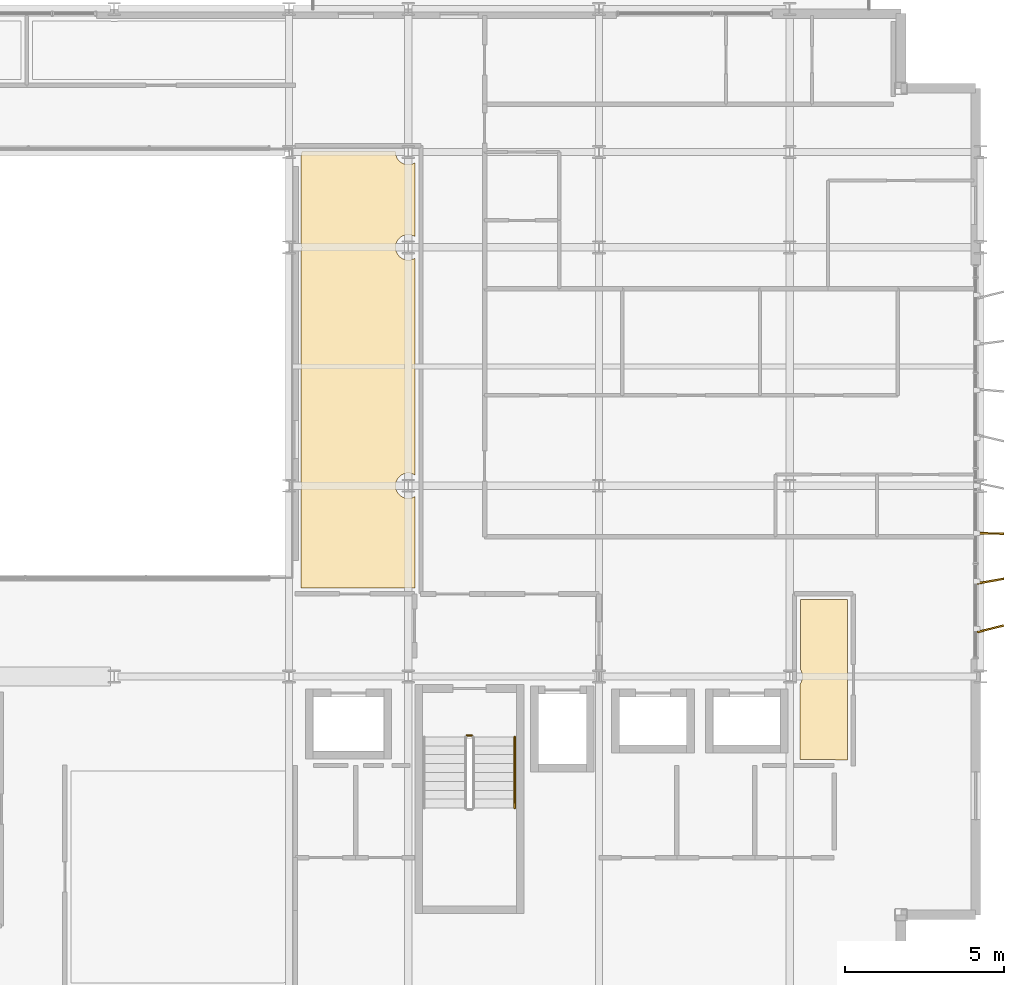
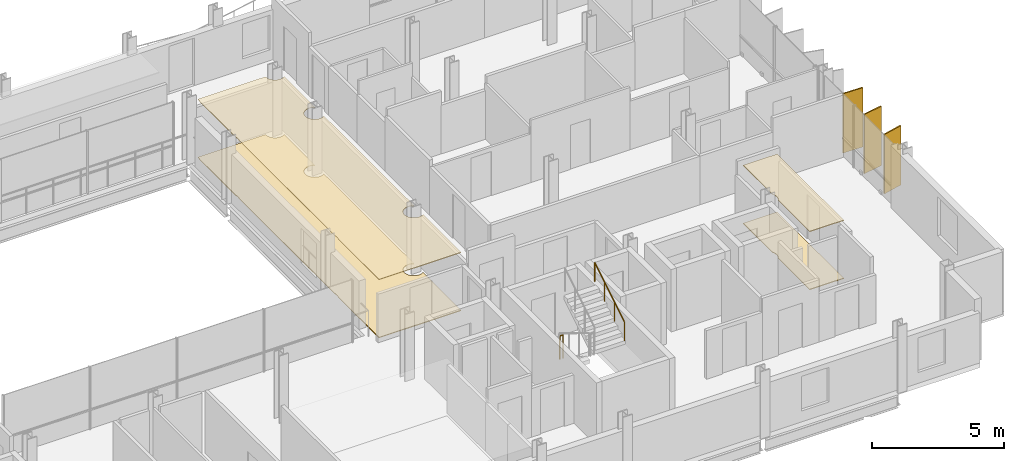
# One storey, part 39 of 40: 4 coverings, 3 shading devices, 2 railings.
"""IFC4 building model written with IfcOpenShell, lengths in metres."""

from ifc_helpers import new_model, si_unit, direction, frame, origin, origin_2d, place, context, subcontext, project, spatial, polyline, rectangle, circle, outline, extrude, material, layer, layer_set, type_object, element, save


model = new_model("IFC4")

# Units and contexts
model_context = context("Model", 3, precision=1e-05, world=origin(), true_north=direction((0.0, 1.0)))
body_context = subcontext(model_context, "Body", "Model", "MODEL_VIEW")
ifc_project = project(units=[si_unit("LENGTHUNIT", "METRE"), si_unit("AREAUNIT", "SQUARE_METRE"), si_unit("VOLUMEUNIT", "CUBIC_METRE"), si_unit("PLANEANGLEUNIT", "RADIAN"), si_unit("MASSUNIT", "GRAM", prefix="KILO")], contexts=[model_context])

# Site, building, storey
site_placement = place(None, origin())
site = spatial("IfcSite", under=ifc_project, at=site_placement, CompositionType="ELEMENT")
building_placement = place(site_placement, origin())
building = spatial("IfcBuilding", under=site, at=building_placement, Name="Brevholm Reach", CompositionType="ELEMENT")
storey_placement = place(building_placement, frame((0.0, 0.0, 160.39990234375)))
storey = spatial("IfcBuildingStorey", under=building, at=storey_placement, Name="L48", CompositionType="ELEMENT", Elevation=160.39990234375)

# Coverings
ifc_material_1 = material(Name="Moisture-Resistant Skimmed Gypsum Plasterboard Ceiling", Category="gypsum")
ifc_layer_1 = layer(ifc_material_1, 0.030029296875)
ifc_layer_set_1 = layer_set([ifc_layer_1], Name="Moisture-Resistant Skimmed Gypsum Plasterboard Ceiling")
covering_type_1 = type_object("IfcCoveringType", Name="COV-CLG-GYP", PredefinedType="CEILING", material=ifc_layer_set_1)
covering_1_placement = place(storey_placement, frame((0.0, 0.0, 2.68017578125)))
element("IfcCovering", 1, at=covering_1_placement, inside=storey, type_object=covering_type_1, Name="L48 Suspended Ceiling L48-28", PredefinedType="CEILING", context=body_context, shape_type="SweptSolid", body=[
    extrude(outline(polyline([(54.330078125, 9.7626953125), (54.33056640625, 9.764892578125), (54.33251953125, 9.777587890625), (54.33251953125, 9.77783203125), (54.352783203125, 9.811279296875), (54.36962890625, 9.846923828125), (54.3828125, 9.8837890625), (54.392333984375, 9.922119140625), (54.398193359375, 9.960693359375), (54.39990234375, 10.0), (54.398193359375, 10.039306640625), (54.392333984375, 10.077880859375), (54.3828125, 10.1162109375), (54.36962890625, 10.153076171875), (54.352783203125, 10.188720703125), (54.333984375, 10.219970703125), (54.333984375, 12.419921875), (55.81591796875, 12.419921875), (55.81591796875, 7.3798828125), (55.437255859375, 7.3798828125), (55.43505859375, 7.380615234375), (55.41748046875, 7.383056640625), (55.39990234375, 7.384033203125), (54.330078125, 7.384033203125), (54.330078125, 9.7626953125)])), origin(), (0.0, 0.0, 1.0), 0.030029296875),
])
covering_2_placement = place(storey_placement, frame((0.0, 0.0, 2.68017578125)))
element("IfcCovering", 2, at=covering_2_placement, inside=storey, type_object=covering_type_1, Name="L48 Suspended Ceiling L48-62", PredefinedType="CEILING", context=body_context, shape_type="SweptSolid", body=[
    extrude(outline(polyline([(38.6298828125, 15.876220703125), (38.6328125, 15.8837890625), (38.642333984375, 15.922119140625), (38.648193359375, 15.960693359375), (38.64990234375, 16.0), (38.648193359375, 16.039306640625), (38.642333984375, 16.077880859375), (38.6328125, 16.1162109375), (38.6298828125, 16.123779296875), (38.6298828125, 23.376220703125), (38.6328125, 23.3837890625), (38.642333984375, 23.422119140625), (38.648193359375, 23.460693359375), (38.64990234375, 23.5), (38.648193359375, 23.539306640625), (38.642333984375, 23.577880859375), (38.6328125, 23.6162109375), (38.6298828125, 23.623779296875), (38.6298828125, 26.376220703125), (38.6328125, 26.3837890625), (38.642333984375, 26.422119140625), (38.648193359375, 26.460693359375), (38.64990234375, 26.5), (38.649169921875, 26.51611328125), (41.600830078125, 26.51611328125), (41.60009765625, 26.5), (41.601806640625, 26.460693359375), (41.607666015625, 26.422119140625), (41.6171875, 26.3837890625), (41.63037109375, 26.346923828125), (41.647216796875, 26.311279296875), (41.66748046875, 26.27783203125), (41.69091796875, 26.24609375), (41.71728515625, 26.21728515625), (41.74609375, 26.19091796875), (41.77783203125, 26.16748046875), (41.811279296875, 26.147216796875), (41.846923828125, 26.13037109375), (41.8837890625, 26.1171875), (41.922119140625, 26.107666015625), (41.960693359375, 26.101806640625), (42.0, 26.10009765625), (42.039306640625, 26.101806640625), (42.077880859375, 26.107666015625), (42.1162109375, 26.1171875), (42.153076171875, 26.13037109375), (42.188720703125, 26.147216796875), (42.216064453125, 26.163818359375), (42.216064453125, 23.836181640625), (42.188720703125, 23.852783203125), (42.153076171875, 23.86962890625), (42.1162109375, 23.8828125), (42.077880859375, 23.892333984375), (42.039306640625, 23.898193359375), (42.0, 23.89990234375), (41.960693359375, 23.898193359375), (41.922119140625, 23.892333984375), (41.8837890625, 23.8828125), (41.846923828125, 23.86962890625), (41.811279296875, 23.852783203125), (41.77783203125, 23.83251953125), (41.74609375, 23.80908203125), (41.71728515625, 23.78271484375), (41.69091796875, 23.75390625), (41.66748046875, 23.72216796875), (41.647216796875, 23.688720703125), (41.63037109375, 23.653076171875), (41.6171875, 23.6162109375), (41.607666015625, 23.577880859375), (41.601806640625, 23.539306640625), (41.60009765625, 23.5), (41.601806640625, 23.460693359375), (41.607666015625, 23.422119140625), (41.6171875, 23.3837890625), (41.63037109375, 23.346923828125), (41.647216796875, 23.311279296875), (41.66748046875, 23.27783203125), (41.69091796875, 23.24609375), (41.71728515625, 23.21728515625), (41.74609375, 23.19091796875), (41.77783203125, 23.16748046875), (41.811279296875, 23.147216796875), (41.846923828125, 23.13037109375), (41.8837890625, 23.1171875), (41.922119140625, 23.107666015625), (41.960693359375, 23.101806640625), (42.0, 23.10009765625), (42.039306640625, 23.101806640625), (42.077880859375, 23.107666015625), (42.1162109375, 23.1171875), (42.153076171875, 23.13037109375), (42.188720703125, 23.147216796875), (42.216064453125, 23.163818359375), (42.216064453125, 16.336181640625), (42.188720703125, 16.352783203125), (42.153076171875, 16.36962890625), (42.1162109375, 16.3828125), (42.077880859375, 16.392333984375), (42.039306640625, 16.398193359375), (42.0, 16.39990234375), (41.960693359375, 16.398193359375), (41.922119140625, 16.392333984375), (41.8837890625, 16.3828125), (41.846923828125, 16.36962890625), (41.811279296875, 16.352783203125), (41.77783203125, 16.33251953125), (41.74609375, 16.30908203125), (41.71728515625, 16.28271484375), (41.69091796875, 16.25390625), (41.66748046875, 16.22216796875), (41.647216796875, 16.188720703125), (41.63037109375, 16.153076171875), (41.6171875, 16.1162109375), (41.607666015625, 16.077880859375), (41.601806640625, 16.039306640625), (41.60009765625, 16.0), (41.601806640625, 15.960693359375), (41.607666015625, 15.922119140625), (41.6171875, 15.8837890625), (41.63037109375, 15.846923828125), (41.647216796875, 15.811279296875), (41.66748046875, 15.77783203125), (41.69091796875, 15.74609375), (41.71728515625, 15.71728515625), (41.74609375, 15.69091796875), (41.77783203125, 15.66748046875), (41.811279296875, 15.647216796875), (41.846923828125, 15.63037109375), (41.8837890625, 15.6171875), (41.922119140625, 15.607666015625), (41.960693359375, 15.601806640625), (42.0, 15.60009765625), (42.039306640625, 15.601806640625), (42.077880859375, 15.607666015625), (42.1162109375, 15.6171875), (42.153076171875, 15.63037109375), (42.188720703125, 15.647216796875), (42.216064453125, 15.663818359375), (42.216064453125, 12.783935546875), (38.6298828125, 12.783935546875), (38.6298828125, 15.876220703125)])), origin(), (0.0, 0.0, 1.0), 0.030029296875),
])
ifc_material_2 = material(Name="Honed Portland-Aggregate Resin Terrazzo Flooring", Category="concrete")
ifc_layer_2 = layer(ifc_material_2, 0.031982421875)
ifc_layer_set_2 = layer_set([ifc_layer_2], Name="Honed Portland-Aggregate Resin Terrazzo Flooring")
covering_type_2 = type_object("IfcCoveringType", Name="COV-FLR-TRZ", PredefinedType="FLOORING", material=ifc_layer_set_2)
covering_3_placement = place(storey_placement, origin())
element("IfcCovering", 3, at=covering_3_placement, inside=storey, type_object=covering_type_2, Name="L48 Floor Finish L48-28", PredefinedType="FLOORING", context=body_context, shape_type="SweptSolid", body=[
    extrude(outline(polyline([(54.330078125, 9.7626953125), (54.33056640625, 9.764892578125), (54.33251953125, 9.777587890625), (54.33251953125, 9.77783203125), (54.352783203125, 9.811279296875), (54.36962890625, 9.846923828125), (54.3828125, 9.8837890625), (54.392333984375, 9.922119140625), (54.398193359375, 9.960693359375), (54.39990234375, 10.0), (54.398193359375, 10.039306640625), (54.392333984375, 10.077880859375), (54.3828125, 10.1162109375), (54.36962890625, 10.153076171875), (54.352783203125, 10.188720703125), (54.333984375, 10.219970703125), (54.333984375, 12.419921875), (55.81591796875, 12.419921875), (55.81591796875, 7.3798828125), (55.437255859375, 7.3798828125), (55.43505859375, 7.380615234375), (55.41748046875, 7.383056640625), (55.39990234375, 7.384033203125), (54.330078125, 7.384033203125), (54.330078125, 9.7626953125)])), origin(), (0.0, 0.0, 1.0), 0.031982421875),
])
covering_4_placement = place(storey_placement, origin())
element("IfcCovering", 4, at=covering_4_placement, inside=storey, type_object=covering_type_2, Name="L48 Floor Finish L48-62", PredefinedType="FLOORING", context=body_context, shape_type="SweptSolid", body=[
    extrude(outline(polyline([(38.6298828125, 15.876220703125), (38.6328125, 15.8837890625), (38.642333984375, 15.922119140625), (38.648193359375, 15.960693359375), (38.64990234375, 16.0), (38.648193359375, 16.039306640625), (38.642333984375, 16.077880859375), (38.6328125, 16.1162109375), (38.6298828125, 16.123779296875), (38.6298828125, 23.376220703125), (38.6328125, 23.3837890625), (38.642333984375, 23.422119140625), (38.648193359375, 23.460693359375), (38.64990234375, 23.5), (38.648193359375, 23.539306640625), (38.642333984375, 23.577880859375), (38.6328125, 23.6162109375), (38.6298828125, 23.623779296875), (38.6298828125, 26.376220703125), (38.6328125, 26.3837890625), (38.642333984375, 26.422119140625), (38.648193359375, 26.460693359375), (38.64990234375, 26.5), (38.649169921875, 26.51611328125), (41.600830078125, 26.51611328125), (41.60009765625, 26.5), (41.601806640625, 26.460693359375), (41.607666015625, 26.422119140625), (41.6171875, 26.3837890625), (41.63037109375, 26.346923828125), (41.647216796875, 26.311279296875), (41.66748046875, 26.27783203125), (41.69091796875, 26.24609375), (41.71728515625, 26.21728515625), (41.74609375, 26.19091796875), (41.77783203125, 26.16748046875), (41.811279296875, 26.147216796875), (41.846923828125, 26.13037109375), (41.8837890625, 26.1171875), (41.922119140625, 26.107666015625), (41.960693359375, 26.101806640625), (42.0, 26.10009765625), (42.039306640625, 26.101806640625), (42.077880859375, 26.107666015625), (42.1162109375, 26.1171875), (42.153076171875, 26.13037109375), (42.188720703125, 26.147216796875), (42.216064453125, 26.163818359375), (42.216064453125, 23.836181640625), (42.188720703125, 23.852783203125), (42.153076171875, 23.86962890625), (42.1162109375, 23.8828125), (42.077880859375, 23.892333984375), (42.039306640625, 23.898193359375), (42.0, 23.89990234375), (41.960693359375, 23.898193359375), (41.922119140625, 23.892333984375), (41.8837890625, 23.8828125), (41.846923828125, 23.86962890625), (41.811279296875, 23.852783203125), (41.77783203125, 23.83251953125), (41.74609375, 23.80908203125), (41.71728515625, 23.78271484375), (41.69091796875, 23.75390625), (41.66748046875, 23.72216796875), (41.647216796875, 23.688720703125), (41.63037109375, 23.653076171875), (41.6171875, 23.6162109375), (41.607666015625, 23.577880859375), (41.601806640625, 23.539306640625), (41.60009765625, 23.5), (41.601806640625, 23.460693359375), (41.607666015625, 23.422119140625), (41.6171875, 23.3837890625), (41.63037109375, 23.346923828125), (41.647216796875, 23.311279296875), (41.66748046875, 23.27783203125), (41.69091796875, 23.24609375), (41.71728515625, 23.21728515625), (41.74609375, 23.19091796875), (41.77783203125, 23.16748046875), (41.811279296875, 23.147216796875), (41.846923828125, 23.13037109375), (41.8837890625, 23.1171875), (41.922119140625, 23.107666015625), (41.960693359375, 23.101806640625), (42.0, 23.10009765625), (42.039306640625, 23.101806640625), (42.077880859375, 23.107666015625), (42.1162109375, 23.1171875), (42.153076171875, 23.13037109375), (42.188720703125, 23.147216796875), (42.216064453125, 23.163818359375), (42.216064453125, 16.336181640625), (42.188720703125, 16.352783203125), (42.153076171875, 16.36962890625), (42.1162109375, 16.3828125), (42.077880859375, 16.392333984375), (42.039306640625, 16.398193359375), (42.0, 16.39990234375), (41.960693359375, 16.398193359375), (41.922119140625, 16.392333984375), (41.8837890625, 16.3828125), (41.846923828125, 16.36962890625), (41.811279296875, 16.352783203125), (41.77783203125, 16.33251953125), (41.74609375, 16.30908203125), (41.71728515625, 16.28271484375), (41.69091796875, 16.25390625), (41.66748046875, 16.22216796875), (41.647216796875, 16.188720703125), (41.63037109375, 16.153076171875), (41.6171875, 16.1162109375), (41.607666015625, 16.077880859375), (41.601806640625, 16.039306640625), (41.60009765625, 16.0), (41.601806640625, 15.960693359375), (41.607666015625, 15.922119140625), (41.6171875, 15.8837890625), (41.63037109375, 15.846923828125), (41.647216796875, 15.811279296875), (41.66748046875, 15.77783203125), (41.69091796875, 15.74609375), (41.71728515625, 15.71728515625), (41.74609375, 15.69091796875), (41.77783203125, 15.66748046875), (41.811279296875, 15.647216796875), (41.846923828125, 15.63037109375), (41.8837890625, 15.6171875), (41.922119140625, 15.607666015625), (41.960693359375, 15.601806640625), (42.0, 15.60009765625), (42.039306640625, 15.601806640625), (42.077880859375, 15.607666015625), (42.1162109375, 15.6171875), (42.153076171875, 15.63037109375), (42.188720703125, 15.647216796875), (42.216064453125, 15.663818359375), (42.216064453125, 12.783935546875), (38.6298828125, 12.783935546875), (38.6298828125, 15.876220703125)])), origin(), (0.0, 0.0, 1.0), 0.031982421875),
])

# Railings
ifc_material_3 = material(Name="Brushed Stainless Steel EN 1.4401 Continuous Handrail", Category="steel")
railing_type_1 = type_object("IfcRailingType", Name="RAL-HND-950", PredefinedType="HANDRAIL", material=ifc_material_3)
railing_1_placement = place(storey_placement, frame((45.35009765625, 5.860107421875, 1.722412109375)))
element("IfcRailing", 5, at=railing_1_placement, inside=storey, type_object=railing_type_1, Name="L48 ST-2 stair handrail 2", PredefinedType="HANDRAIL", context=body_context, shape_type="SweptSolid", body=[
    extrude(circle(Radius=0.02392578125, at=origin_2d()), frame((0.0, 0.0, 0.8857421875), z_axis=(0.0, 0.85178898068, 0.523885037382), x_axis=(-1.0, 0.0, 0.0)), (0.0, 0.0, 1.0), 2.629638671875),
    extrude(circle(Radius=0.02099609375, at=origin_2d()), origin(), (0.0, 0.0, 1.0), 0.86181640625),
    extrude(circle(Radius=0.02099609375, at=origin_2d()), frame((0.0, 0.74658203125, 0.459228515625)), (0.0, 0.0, 1.0), 0.86181640625),
    extrude(circle(Radius=0.02099609375, at=origin_2d()), frame((0.0, 1.493408203125, 0.91845703125)), (0.0, 0.0, 1.0), 0.86181640625),
    extrude(circle(Radius=0.02099609375, at=origin_2d()), frame((0.0, 2.239990234375, 1.377685546875)), (0.0, 0.0, 1.0), 0.86181640625),
])
ifc_material_4 = material(Name="Painted Tubular Galvanised Steel S275JR Stair Guard", Category="steel")
railing_type_2 = type_object("IfcRailingType", Name="RAL-STG-1120", PredefinedType="BALUSTRADE", material=ifc_material_4)
railing_2_placement = place(storey_placement, frame((43.85009765625, 8.14990234375, 0.0)))
element("IfcRailing", 6, at=railing_2_placement, inside=storey, type_object=railing_type_2, Name="L48 ST-2 stair guard 4", PredefinedType="BALUSTRADE", context=body_context, shape_type="SweptSolid", body=[
    extrude(circle(Radius=0.02392578125, at=origin_2d()), frame((0.0, 0.0, 1.076171875), z_axis=(1.0, 0.0, 0.0), x_axis=(0.0, 1.0, 0.0)), (0.0, 0.0, 1.0), 0.14990234375),
    extrude(circle(Radius=0.02099609375, at=origin_2d()), origin(), (0.0, 0.0, 1.0), 1.052001953125),
    extrude(circle(Radius=0.02099609375, at=origin_2d()), frame((0.14990234375, 0.0, 0.0)), (0.0, 0.0, 1.0), 1.052001953125),
])

# Shading devices
ifc_material_5 = material(Name="Perforated Champagne-Bronze Anodised Aluminium", Category="aluminium")
ifc_layer_3 = layer(ifc_material_5, 0.054931640625)
ifc_layer_set_3 = layer_set([ifc_layer_3], Name="Perforated Champagne-Bronze Anodised Aluminium")
shading_device_type = type_object("IfcShadingDeviceType", Name="SHD-FIN-850", PredefinedType="USERDEFINED", material=ifc_layer_set_3)
for number, where, z_axis, x_axis, name in (
    (7, (60.31494140625, 11.5, 0.0703125), (0.0, 0.0, 1.0), (0.970783528053, 0.239956957935, 0.0), "L48 Perforated Solar Screen Fin 1"),
    (8, (60.31494140625, 13.0, 0.0703125), (0.0, 0.0, 1.0), (0.984619271058, 0.174713740335, 0.0), "L48 Perforated Solar Screen Fin 2"),
    (9, (60.31494140625, 14.5, 0.0703125), (0.0, 0.0, 1.0), (0.999727750026, -0.023332934405, 0.0), "L48 Perforated Solar Screen Fin 3"),
):
    element("IfcShadingDevice", number, at=place(storey_placement, frame(where, z_axis=z_axis, x_axis=x_axis)), inside=storey, type_object=shading_device_type, Name=name, ObjectType="SCREEN", PredefinedType="USERDEFINED", context=body_context, shape_type="SweptSolid", body=[
        extrude(rectangle(XDim=0.85009765625, YDim=0.054931640625, at=origin_2d()), origin(), (0.0, 0.0, 1.0), 2.739990234375),
    ])

save(model, "model.ifc")
